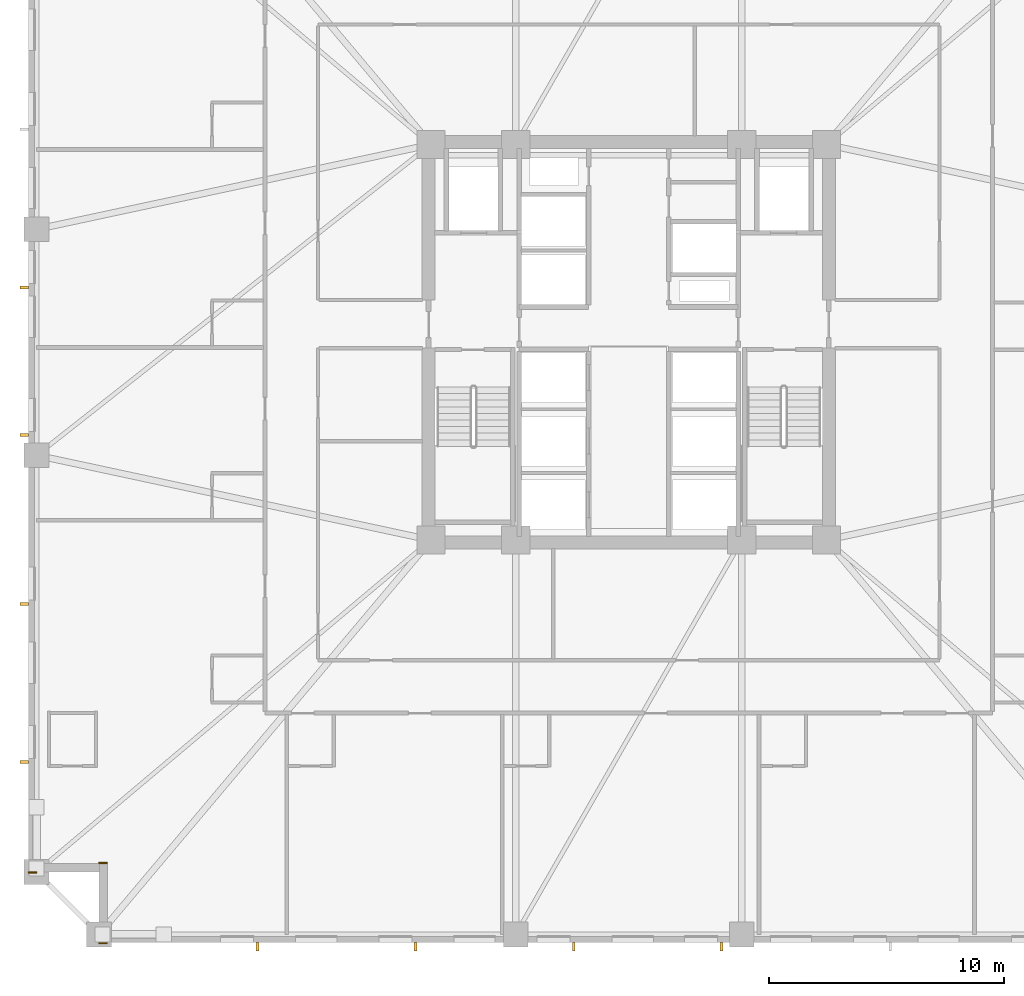
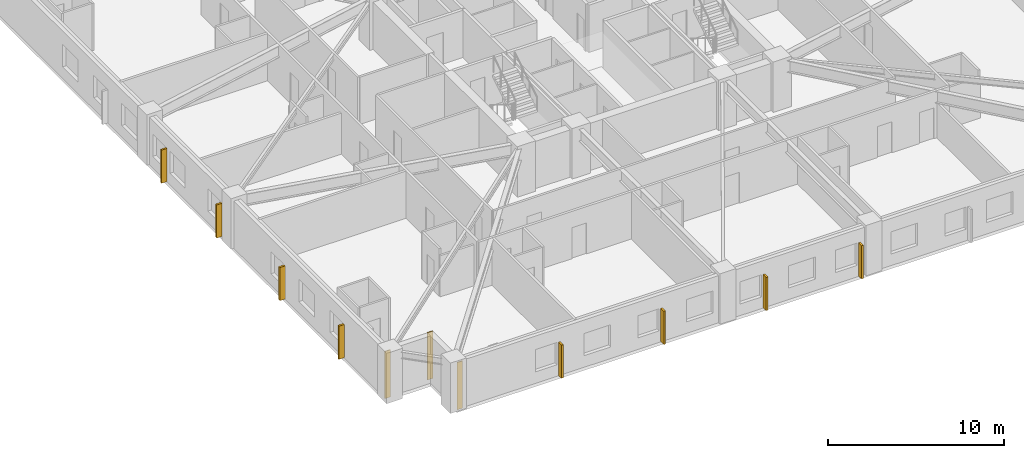
# One storey, part 7 of 11: 8 shading devices, 3 coverings.
"""IFC4 building model written with IfcOpenShell, lengths in metres."""

from ifc_helpers import new_model, si_unit, direction, frame, frame_2d, origin, origin_2d, place, context, subcontext, project, spatial, rectangle, extrude, material, layer, layer_set, type_object, element, save


model = new_model("IFC4")

# Units and contexts
model_context = context("Model", 3, precision=1e-05, world=origin(), true_north=direction((0.0, 1.0)))
body_context = subcontext(model_context, "Body", "Model", "MODEL_VIEW")
ifc_project = project(units=[si_unit("LENGTHUNIT", "METRE"), si_unit("AREAUNIT", "SQUARE_METRE"), si_unit("VOLUMEUNIT", "CUBIC_METRE"), si_unit("PLANEANGLEUNIT", "RADIAN"), si_unit("MASSUNIT", "GRAM", prefix="KILO")], contexts=[model_context])

# Site, building, storey
site_placement = place(None, origin())
site = spatial("IfcSite", under=ifc_project, at=site_placement, CompositionType="ELEMENT")
building_placement = place(site_placement, origin())
building = spatial("IfcBuilding", under=site, at=building_placement, Name="Cairnveth Concourse Tower", CompositionType="ELEMENT")
storey_placement = place(building_placement, frame((0.0, 0.0, 76.0)))
storey = spatial("IfcBuildingStorey", under=building, at=storey_placement, Name="L20", CompositionType="ELEMENT", Elevation=76.0)

# Coverings
ifc_material_1 = material(Name="Dressed Melbourne Bluestone Cladding", Category="masonry")
ifc_layer = layer(ifc_material_1, 0.050048828125)
ifc_layer_set = layer_set([ifc_layer], Name="Dressed Melbourne Bluestone Cladding")
covering_type = type_object("IfcCoveringType", Name="DRESSED BLUESTONE PLINTH CLADDING 50", PredefinedType="CLADDING", material=ifc_layer_set)
for number, where, z_axis, x_axis, name in (
    (1, (29.860107421875, 13.47998046875, 0.0), (0.0, 0.0, 1.0), (-1.0, 0.0, 0.0), "Melbourne Bluestone Corner Quoin L20-267"),
    (2, (29.860107421875, 16.8798828125, 0.0), (0.0, 0.0, 1.0), (-1.0, 0.0, 0.0), "Melbourne Bluestone Corner Quoin L20-268"),
    (3, (26.860107421875, 16.47998046875, 0.0), (0.0, 0.0, 1.0), (-1.0, 0.0, 0.0), "Melbourne Bluestone Corner Quoin L20-269"),
):
    element("IfcCovering", number, at=place(storey_placement, frame(where, z_axis=z_axis, x_axis=x_axis)), inside=storey, type_object=covering_type, Name=name, PredefinedType="CLADDING", context=body_context, shape_type="SweptSolid", body=[
        extrude(rectangle(XDim=0.360107421875, YDim=0.050048828125, at=frame_2d((0.18017578125, 0.0))), origin(), (0.0, 0.0, 1.0), 3.280029296875),
    ])

# Shading devices
ifc_material_2 = material(Name="Architectural Bronze Anodised Aluminium 6063-T6", Category="aluminium")
shading_device_type = type_object("IfcShadingDeviceType", Name="GOTHIC BRONZE VERTICAL LANCET FIN", PredefinedType="USERDEFINED", material=ifc_material_2)
for number, where, z_axis, x_axis, name in (
    (4, (55.939208984375, 13.324951171875, 0.02978515625), (0.0, 0.0, 1.0), (1.0, 0.0, 0.0), "Gothic Bronze Vertical Fin L20-3-5"),
    (5, (49.668701171875, 13.324951171875, 0.02978515625), (0.0, 0.0, 1.0), (1.0, 0.0, 0.0), "Gothic Bronze Vertical Fin L20-3-7"),
    (6, (42.948486328125, 13.324951171875, 0.02978515625), (0.0, 0.0, 1.0), (1.0, 0.0, 0.0), "Gothic Bronze Vertical Fin L20-3-9"),
    (7, (36.22802734375, 13.324951171875, 0.02978515625), (0.0, 0.0, 1.0), (1.0, 0.0, 0.0), "Gothic Bronze Vertical Fin L20-3-11"),
    (8, (26.324951171875, 21.170166015625, 0.02978515625), (0.0, 0.0, 1.0), (0.0, 1.0, 0.0), "Gothic Bronze Vertical Fin L20-6-1"),
    (9, (26.324951171875, 27.890380859375, 0.02978515625), (0.0, 0.0, 1.0), (0.0, 1.0, 0.0), "Gothic Bronze Vertical Fin L20-6-3"),
    (10, (26.324951171875, 35.060791015625, 0.02978515625), (0.0, 0.0, 1.0), (0.0, 1.0, 0.0), "Gothic Bronze Vertical Fin L20-6-5"),
    (11, (26.324951171875, 41.331298828125, 0.02978515625), (0.0, 0.0, 1.0), (0.0, 1.0, 0.0), "Gothic Bronze Vertical Fin L20-6-7"),
):
    element("IfcShadingDevice", number, at=place(storey_placement, frame(where, z_axis=z_axis, x_axis=x_axis)), inside=storey, type_object=shading_device_type, Name=name, ObjectType="VERTICAL FIN", PredefinedType="USERDEFINED", context=body_context, shape_type="SweptSolid", body=[
        extrude(rectangle(XDim=0.1201171875, YDim=0.360107421875, at=origin_2d()), origin(), (0.0, 0.0, 1.0), 2.303955078125),
    ])

save(model, "model.ifc")
